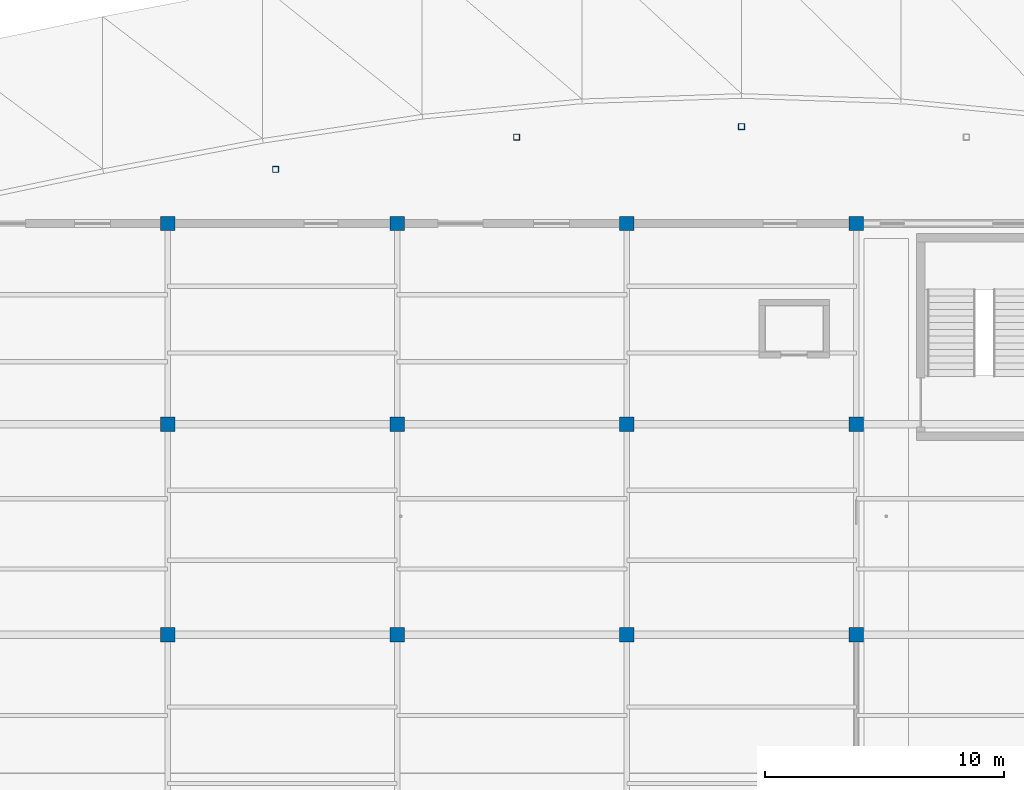
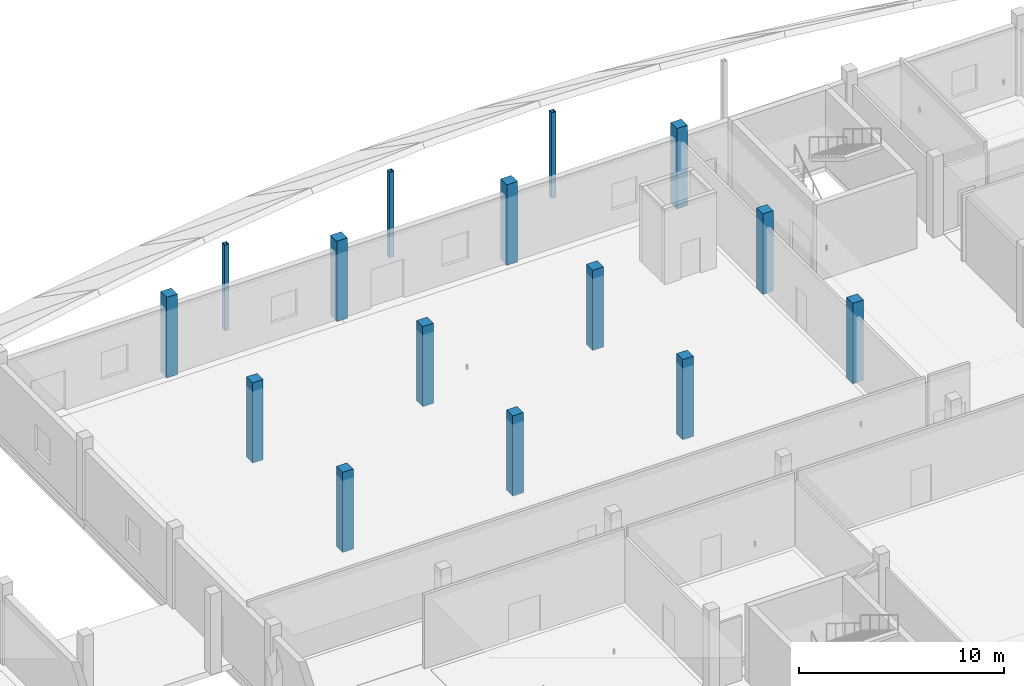
# One storey, part 12 of 116: 15 columns.
"""IFC4 building model written with IfcOpenShell, lengths in metres."""

from ifc_helpers import new_model, si_unit, direction, frame, origin, origin_2d, place, context, subcontext, project, spatial, rectangle, hollow_rectangle, extrude, material, material_profile, profile_set, type_object, element, save


model = new_model("IFC4")

# Units and contexts
model_context = context("Model", 3, precision=1e-05, world=origin(), true_north=direction((0.0, 1.0)))
body_context = subcontext(model_context, "Body", "Model", "MODEL_VIEW")
ifc_project = project(units=[si_unit("LENGTHUNIT", "METRE"), si_unit("AREAUNIT", "SQUARE_METRE"), si_unit("VOLUMEUNIT", "CUBIC_METRE"), si_unit("PLANEANGLEUNIT", "RADIAN"), si_unit("MASSUNIT", "GRAM", prefix="KILO")], contexts=[model_context])

# Site, building, storey
site_placement = place(None, origin())
site = spatial("IfcSite", under=ifc_project, at=site_placement, CompositionType="ELEMENT")
building_placement = place(site_placement, origin())
building = spatial("IfcBuilding", under=site, at=building_placement, Name="Chalmorin Arch Market", CompositionType="ELEMENT")
storey_placement = place(building_placement, origin())
storey = spatial("IfcBuildingStorey", under=building, at=storey_placement, Name="L00", CompositionType="ELEMENT", Elevation=0.0)

# Columns
ifc_material_1 = material(Name="Concrete C40/50", Category="concrete")
ifc_material_profile_1 = material_profile(ifc_material_1, rectangle(XDim=0.60009765625, YDim=0.60009765625, at=origin_2d()), Name="RC600X600")
ifc_profile_set_1 = profile_set([ifc_material_profile_1], Name="Concrete C40/50")
column_type_1 = type_object("IfcColumnType", Name="InteriorConcreteColumn-600x600", PredefinedType="COLUMN", material=ifc_profile_set_1)
for number, where, z_axis, x_axis, name in (
    (1, (57.60009765625, 100.800048828125, 0.0), (0.0, 0.0, 1.0), (1.0, 0.0, 0.0), "C-RC2-296"),
    (2, (57.60009765625, 109.60009765625, 0.0), (0.0, 0.0, 1.0), (1.0, 0.0, 0.0), "C-RC2-301"),
    (3, (57.60009765625, 118.0, 0.0), (0.0, 0.0, 1.0), (1.0, 0.0, 0.0), "C-RC2-306"),
    (4, (67.199951171875, 100.800048828125, 0.0), (0.0, 0.0, 1.0), (1.0, 0.0, 0.0), "C-RC2-351"),
    (5, (67.199951171875, 109.60009765625, 0.0), (0.0, 0.0, 1.0), (1.0, 0.0, 0.0), "C-RC2-356"),
    (6, (67.199951171875, 118.0, 0.0), (0.0, 0.0, 1.0), (1.0, 0.0, 0.0), "C-RC2-361"),
    (7, (76.800048828125, 100.800048828125, 0.0), (0.0, 0.0, 1.0), (1.0, 0.0, 0.0), "C-RC2-406"),
    (8, (76.800048828125, 109.60009765625, 0.0), (0.0, 0.0, 1.0), (1.0, 0.0, 0.0), "C-RC2-411"),
    (9, (76.800048828125, 118.0, 0.0), (0.0, 0.0, 1.0), (1.0, 0.0, 0.0), "C-RC2-416"),
    (10, (86.39990234375, 100.800048828125, 0.0), (0.0, 0.0, 1.0), (1.0, 0.0, 0.0), "C-RC2-461"),
    (11, (86.39990234375, 109.60009765625, 0.0), (0.0, 0.0, 1.0), (1.0, 0.0, 0.0), "C-RC2-466"),
    (12, (86.39990234375, 118.0, 0.0), (0.0, 0.0, 1.0), (1.0, 0.0, 0.0), "C-RC2-471"),
):
    element("IfcColumn", number, at=place(storey_placement, frame(where, z_axis=z_axis, x_axis=x_axis)), inside=storey, type_object=column_type_1, Name=name, PredefinedType="COLUMN", context=body_context, shape_type="SweptSolid", body=[
        extrude(rectangle(XDim=0.60009765625, YDim=0.60009765625, at=origin_2d()), origin(), (0.0, 0.0, 1.0), 4.800048828125),
    ])
ifc_material_2 = material(Name="Steel A500 Grade C", Category="steel")
ifc_material_profile_2 = material_profile(ifc_material_2, hollow_rectangle(XDim=0.25390625, YDim=0.25390625, WallThickness=0.01171875, at=origin_2d()), Name="HSS10X10X1/2")
ifc_profile_set_2 = profile_set([ifc_material_profile_2], Name="Steel A500 Grade C")
column_type_2 = type_object("IfcColumnType", Name="SteelTubeColumn-HSS10X10", PredefinedType="COLUMN", material=ifc_profile_set_2)
for number, where, z_axis, x_axis, name in (
    (13, (62.112060546875, 120.26904296875, -0.320068359375), (0.0, 0.0, 1.0), (1.0, 0.0, 0.0), "C-HS2-704"),
    (14, (72.19189453125, 121.612060546875, -0.320068359375), (0.0, 0.0, 1.0), (1.0, 0.0, 0.0), "C-HS2-712"),
    (15, (81.60009765625, 122.050048828125, -0.320068359375), (0.0, 0.0, 1.0), (1.0, 0.0, 0.0), "C-HS2-720"),
):
    element("IfcColumn", number, at=place(storey_placement, frame(where, z_axis=z_axis, x_axis=x_axis)), inside=storey, type_object=column_type_2, Name=name, PredefinedType="COLUMN", context=body_context, shape_type="SweptSolid", body=[
        extrude(hollow_rectangle(XDim=0.25390625, YDim=0.25390625, WallThickness=0.01171875, at=origin_2d()), origin(), (0.0, 0.0, 1.0), 5.1201171875),
    ])

save(model, "model.ifc")
